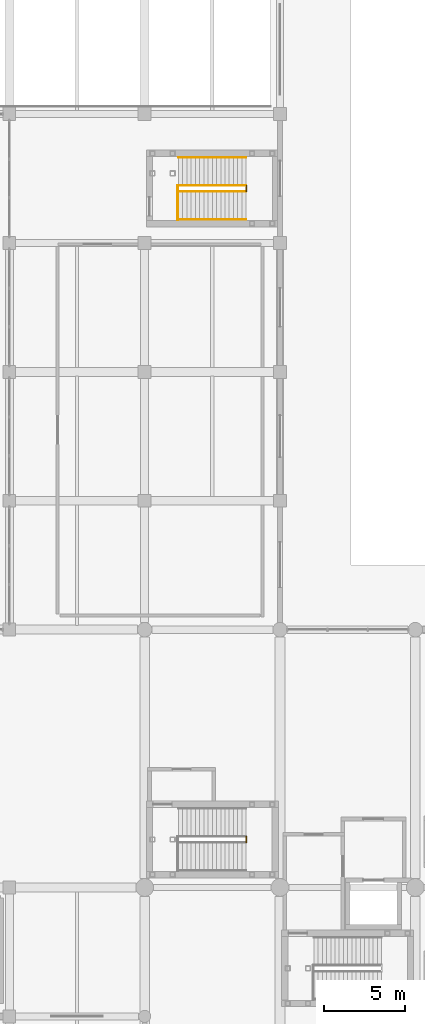
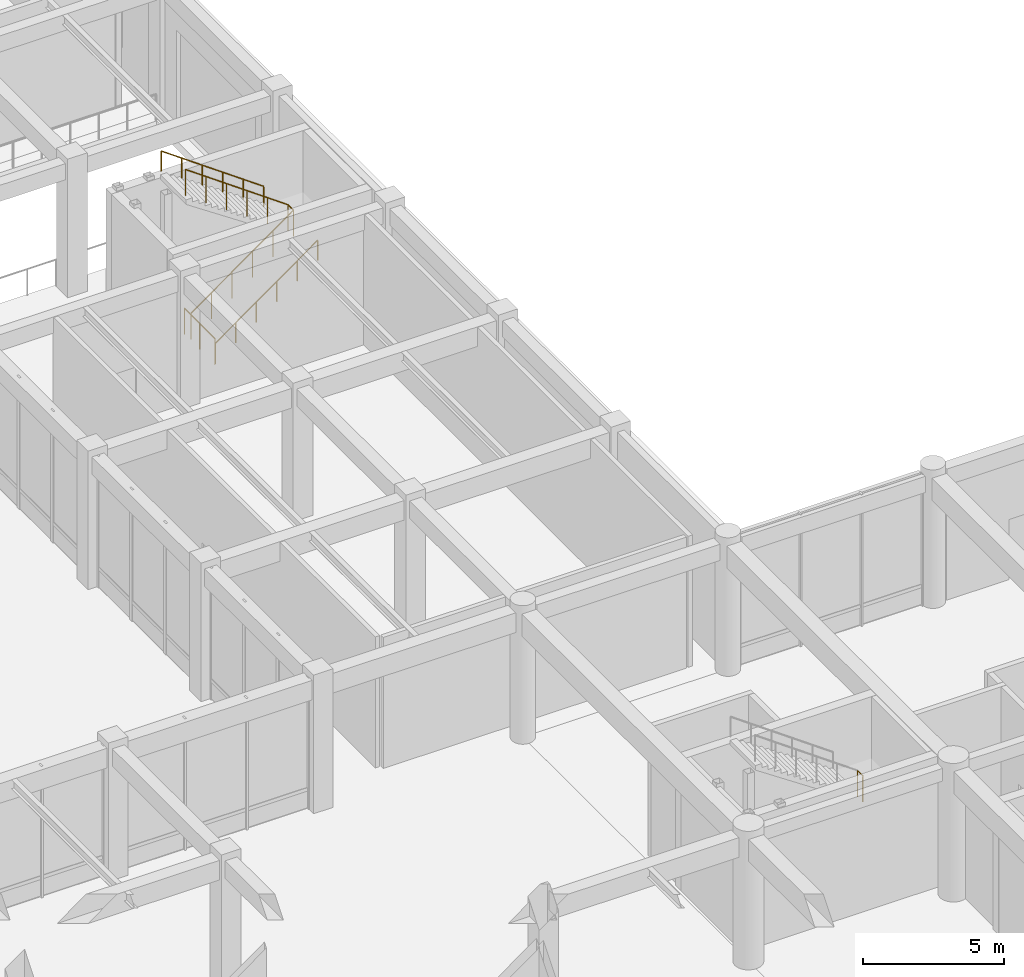
# One storey, part 71 of 76: 7 railings.
"""IFC4 building model written with IfcOpenShell, lengths in metres."""

from ifc_helpers import new_model, si_unit, direction, frame, origin, origin_2d, place, context, subcontext, project, spatial, circle, extrude, material, layer, layer_set, type_object, element, save


model = new_model("IFC4")

# Units and contexts
model_context = context("Model", 3, precision=1e-05, world=origin(), true_north=direction((0.0, 1.0)))
body_context = subcontext(model_context, "Body", "Model", "MODEL_VIEW")
ifc_project = project(units=[si_unit("LENGTHUNIT", "METRE"), si_unit("AREAUNIT", "SQUARE_METRE"), si_unit("VOLUMEUNIT", "CUBIC_METRE"), si_unit("PLANEANGLEUNIT", "RADIAN"), si_unit("MASSUNIT", "GRAM", prefix="KILO")], contexts=[model_context])

# Site, building, storey
site_placement = place(None, origin())
site = spatial("IfcSite", under=ifc_project, at=site_placement, CompositionType="ELEMENT")
building_placement = place(site_placement, origin())
building = spatial("IfcBuilding", under=site, at=building_placement, Name="Naruveol Harbour Congress Hotel", CompositionType="ELEMENT")
storey_placement = place(building_placement, origin())
storey = spatial("IfcBuildingStorey", under=building, at=storey_placement, Name="L00", CompositionType="ELEMENT", Elevation=0.0)

# Railings
ifc_material_1 = material(Name="Stainless Steel 304", Category="steel")
ifc_layer_1 = layer(ifc_material_1, 0.0419921875)
ifc_layer_set_1 = layer_set([ifc_layer_1], Name="Stainless Steel 304")
railing_type_1 = type_object("IfcRailingType", Name="STAIR WALL MOUNTED HANDRAIL 900", PredefinedType="HANDRAIL", material=ifc_layer_set_1)
railing_1_placement = place(storey_placement, frame((119.699951171875, 57.4599609375, 0.0)))
element("IfcRailing", 1, at=railing_1_placement, inside=storey, type_object=railing_type_1, Name="Stair ST9 L00 lower wall handrail", PredefinedType="HANDRAIL", context=body_context, shape_type="SweptSolid", body=[
    extrude(circle(Radius=0.02392578125, at=origin_2d()), frame((0.0, 0.0, 0.8759765625), z_axis=(0.813730275137, 0.0, 0.581242668191), x_axis=(0.0, 1.0, 0.0)), (0.0, 0.0, 1.0), 5.161376953125),
    extrude(circle(Radius=0.02099609375, at=origin_2d()), origin(), (0.0, 0.0, 1.0), 0.851806640625),
    extrude(circle(Radius=0.02099609375, at=origin_2d()), frame((0.840087890625, 0.0, 0.60009765625)), (0.0, 0.0, 1.0), 0.851806640625),
    extrude(circle(Radius=0.02099609375, at=origin_2d()), frame((1.679931640625, 0.0, 1.199951171875)), (0.0, 0.0, 1.0), 0.851806640625),
    extrude(circle(Radius=0.02099609375, at=origin_2d()), frame((2.52001953125, 0.0, 1.800048828125)), (0.0, 0.0, 1.0), 0.851806640625),
    extrude(circle(Radius=0.02099609375, at=origin_2d()), frame((3.35986328125, 0.0, 2.39990234375)), (0.0, 0.0, 1.0), 0.851806640625),
    extrude(circle(Radius=0.02099609375, at=origin_2d()), frame((4.199951171875, 0.0, 3.0)), (0.0, 0.0, 1.0), 0.851806640625),
])
railing_2_placement = place(storey_placement, frame((123.89990234375, 61.300048828125, 3.0)))
element("IfcRailing", 2, at=railing_2_placement, inside=storey, type_object=railing_type_1, Name="Stair ST9 L00 upper wall handrail", PredefinedType="HANDRAIL", context=body_context, shape_type="SweptSolid", body=[
    extrude(circle(Radius=0.02392578125, at=origin_2d()), frame((0.0, 0.0, 0.8759765625), z_axis=(-0.813730275137, 0.0, 0.581242668191), x_axis=(0.0, -1.0, 0.0)), (0.0, 0.0, 1.0), 5.161376953125),
    extrude(circle(Radius=0.02099609375, at=origin_2d()), origin(), (0.0, 0.0, 1.0), 0.851806640625),
    extrude(circle(Radius=0.02099609375, at=origin_2d()), frame((-0.840087890625, 0.0, 0.60009765625)), (0.0, 0.0, 1.0), 0.851806640625),
    extrude(circle(Radius=0.02099609375, at=origin_2d()), frame((-1.679931640625, 0.0, 1.199951171875)), (0.0, 0.0, 1.0), 0.851806640625),
    extrude(circle(Radius=0.02099609375, at=origin_2d()), frame((-2.52001953125, 0.0, 1.800048828125)), (0.0, 0.0, 1.0), 0.851806640625),
    extrude(circle(Radius=0.02099609375, at=origin_2d()), frame((-3.35986328125, 0.0, 2.39990234375)), (0.0, 0.0, 1.0), 0.851806640625),
    extrude(circle(Radius=0.02099609375, at=origin_2d()), frame((-4.199951171875, 0.0, 3.0)), (0.0, 0.0, 1.0), 0.851806640625),
])
ifc_material_2 = material(Name="Steel SN490", Category="steel")
ifc_layer_2 = layer(ifc_material_2, 0.044921875)
ifc_layer_set_2 = layer_set([ifc_layer_2], Name="Steel SN490")
railing_type_2 = type_object("IfcRailingType", Name="STAIRWELL STEEL GUARDRAIL 1150", PredefinedType="GUARDRAIL", material=ifc_layer_set_2)
railing_3_placement = place(storey_placement, frame((123.89990234375, 18.7900390625, 3.0)))
element("IfcRailing", 3, at=railing_3_placement, inside=storey, type_object=railing_type_2, Name="Stair ST3 L00 half-landing slot guard", PredefinedType="GUARDRAIL", context=body_context, shape_type="SweptSolid", body=[
    extrude(circle(Radius=0.02392578125, at=origin_2d()), frame((0.0, 0.0, 1.1259765625), z_axis=(0.0, 1.0, 0.0), x_axis=(-1.0, 0.0, 0.0)), (0.0, 0.0, 1.0), 0.3798828125),
    extrude(circle(Radius=0.02099609375, at=origin_2d()), origin(), (0.0, 0.0, 1.0), 1.101806640625),
    extrude(circle(Radius=0.02099609375, at=origin_2d()), frame((0.0, 0.3798828125, 0.0)), (0.0, 0.0, 1.0), 1.101806640625),
])
railing_4_placement = place(storey_placement, frame((119.699951171875, 59.18994140625, 0.0)))
element("IfcRailing", 4, at=railing_4_placement, inside=storey, type_object=railing_type_2, Name="Stair ST9 L00 lower well guard", PredefinedType="GUARDRAIL", context=body_context, shape_type="SweptSolid", body=[
    extrude(circle(Radius=0.02392578125, at=origin_2d()), frame((0.0, 0.0, 1.1259765625), z_axis=(0.813730275137, 0.0, 0.581242668191), x_axis=(0.0, 1.0, 0.0)), (0.0, 0.0, 1.0), 5.161376953125),
    extrude(circle(Radius=0.02099609375, at=origin_2d()), origin(), (0.0, 0.0, 1.0), 1.101806640625),
    extrude(circle(Radius=0.02099609375, at=origin_2d()), frame((0.840087890625, 0.0, 0.60009765625)), (0.0, 0.0, 1.0), 1.101806640625),
    extrude(circle(Radius=0.02099609375, at=origin_2d()), frame((1.679931640625, 0.0, 1.199951171875)), (0.0, 0.0, 1.0), 1.101806640625),
    extrude(circle(Radius=0.02099609375, at=origin_2d()), frame((2.52001953125, 0.0, 1.800048828125)), (0.0, 0.0, 1.0), 1.101806640625),
    extrude(circle(Radius=0.02099609375, at=origin_2d()), frame((3.35986328125, 0.0, 2.39990234375)), (0.0, 0.0, 1.0), 1.101806640625),
    extrude(circle(Radius=0.02099609375, at=origin_2d()), frame((4.199951171875, 0.0, 3.0)), (0.0, 0.0, 1.0), 1.101806640625),
])
railing_5_placement = place(storey_placement, frame((123.89990234375, 59.18994140625, 3.0)))
element("IfcRailing", 5, at=railing_5_placement, inside=storey, type_object=railing_type_2, Name="Stair ST9 L00 half-landing slot guard", PredefinedType="GUARDRAIL", context=body_context, shape_type="SweptSolid", body=[
    extrude(circle(Radius=0.02392578125, at=origin_2d()), frame((0.0, 0.0, 1.1259765625), z_axis=(0.0, 1.0, 0.0), x_axis=(-1.0, 0.0, 0.0)), (0.0, 0.0, 1.0), 0.380126953125),
    extrude(circle(Radius=0.02099609375, at=origin_2d()), origin(), (0.0, 0.0, 1.0), 1.101806640625),
    extrude(circle(Radius=0.02099609375, at=origin_2d()), frame((0.0, 0.380126953125, 0.0)), (0.0, 0.0, 1.0), 1.101806640625),
])
railing_6_placement = place(storey_placement, frame((123.89990234375, 59.570068359375, 3.0)))
element("IfcRailing", 6, at=railing_6_placement, inside=storey, type_object=railing_type_2, Name="Stair ST9 L00 upper well guard", PredefinedType="GUARDRAIL", context=body_context, shape_type="SweptSolid", body=[
    extrude(circle(Radius=0.02392578125, at=origin_2d()), frame((0.0, 0.0, 1.1259765625), z_axis=(-0.813730275137, 0.0, 0.581242668191), x_axis=(0.0, -1.0, 0.0)), (0.0, 0.0, 1.0), 5.161376953125),
    extrude(circle(Radius=0.02099609375, at=origin_2d()), origin(), (0.0, 0.0, 1.0), 1.101806640625),
    extrude(circle(Radius=0.02099609375, at=origin_2d()), frame((-0.840087890625, 0.0, 0.60009765625)), (0.0, 0.0, 1.0), 1.101806640625),
    extrude(circle(Radius=0.02099609375, at=origin_2d()), frame((-1.679931640625, 0.0, 1.199951171875)), (0.0, 0.0, 1.0), 1.101806640625),
    extrude(circle(Radius=0.02099609375, at=origin_2d()), frame((-2.52001953125, 0.0, 1.800048828125)), (0.0, 0.0, 1.0), 1.101806640625),
    extrude(circle(Radius=0.02099609375, at=origin_2d()), frame((-3.35986328125, 0.0, 2.39990234375)), (0.0, 0.0, 1.0), 1.101806640625),
    extrude(circle(Radius=0.02099609375, at=origin_2d()), frame((-4.199951171875, 0.0, 3.0)), (0.0, 0.0, 1.0), 1.101806640625),
])
railing_7_placement = place(storey_placement, frame((119.659912109375, 57.419921875, 0.0)))
element("IfcRailing", 7, at=railing_7_placement, inside=storey, type_object=railing_type_2, Name="Stair ST9 L00 landing well guard", PredefinedType="GUARDRAIL", context=body_context, shape_type="SweptSolid", body=[
    extrude(circle(Radius=0.02392578125, at=origin_2d()), frame((0.0, 0.0, 1.1259765625), z_axis=(0.0, 1.0, 0.0), x_axis=(-1.0, 0.0, 0.0)), (0.0, 0.0, 1.0), 2.150146484375),
    extrude(circle(Radius=0.02099609375, at=origin_2d()), origin(), (0.0, 0.0, 1.0), 1.101806640625),
    extrude(circle(Radius=0.02099609375, at=origin_2d()), frame((0.0, 1.0751953125, 0.0)), (0.0, 0.0, 1.0), 1.101806640625),
    extrude(circle(Radius=0.02099609375, at=origin_2d()), frame((0.0, 2.150146484375, 0.0)), (0.0, 0.0, 1.0), 1.101806640625),
])

save(model, "model.ifc")
